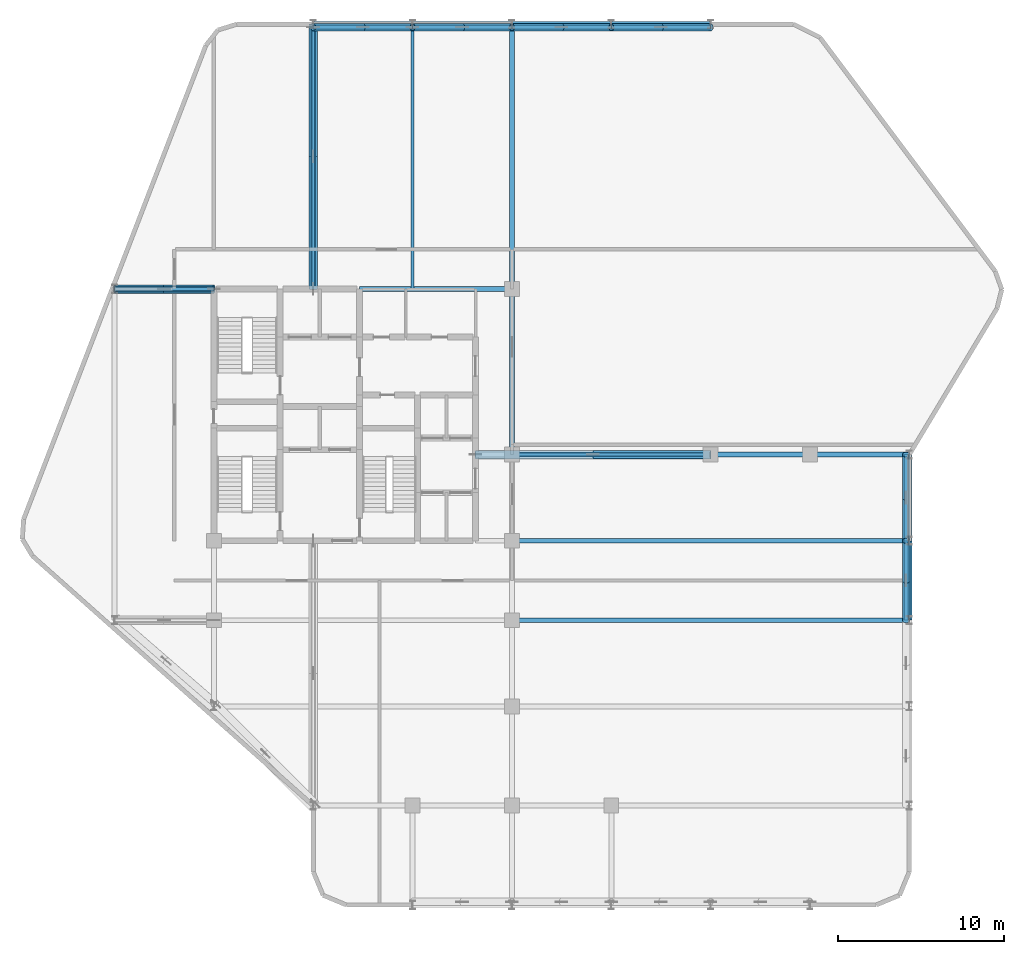
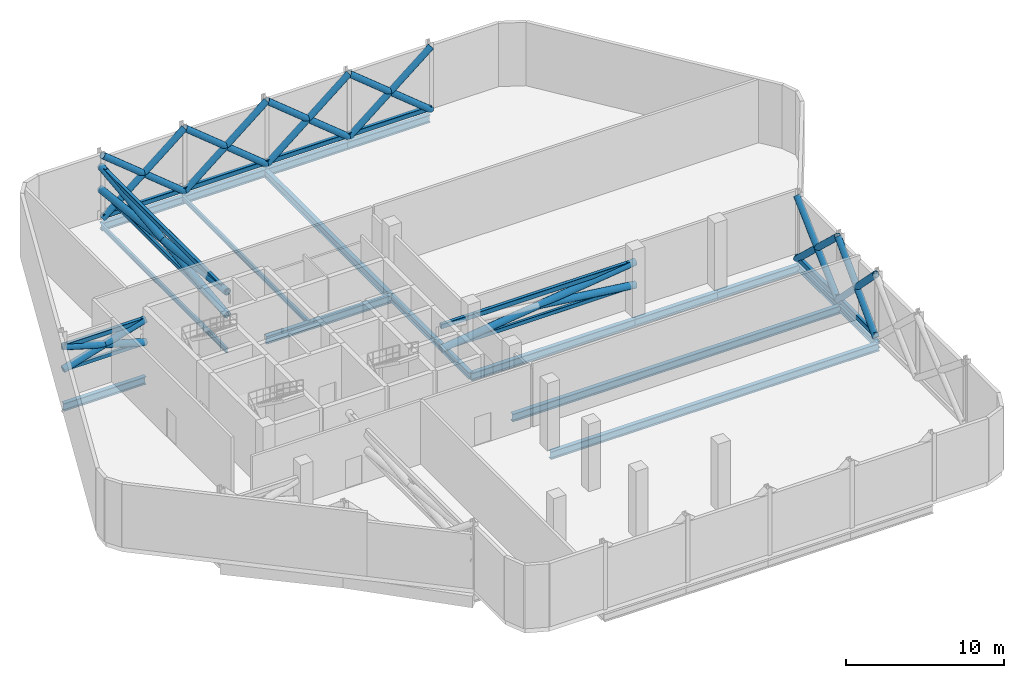
# One storey, part 5 of 12: 38 members, 17 beams.
"""IFC4 building model written with IfcOpenShell, lengths in metres."""

import ifcopenshell
import ifcopenshell.guid

model = None  # the IFC model being written
_history = None  # IfcOwnerHistory: only IFC2X3 demands one
_inside = {}  # id of a spatial element -> (the spatial element, [elements in it])
_under = {}  # id of a project, library or spatial element -> (it, [spatial elements below it])
_declared = {}  # id of a project -> (the project, [libraries it declares])
_typed = {}  # id of a type object -> (the type object, [elements of that type])
_made_of = {}  # id of a material, layer set ... -> (it, [elements and type objects made of it])


def new_model(schema):
    """Start an empty IFC model of exactly this schema.

    Asked for "IFC4X3", IfcOpenShell would pick the latest addendum, in which some entities
    have other attributes; the version numbers below select the first issue.
    IFC2X3 requires an IfcOwnerHistory on every rooted entity: one is made here for all.
    """
    global model, _history
    if schema == "IFC4X3":
        model = ifcopenshell.file(schema_version=(4, 3, 0, 0))
    else:
        model = ifcopenshell.file(schema=schema)
    _inside.clear()
    _under.clear()
    _declared.clear()
    _typed.clear()
    _made_of.clear()
    _history = None
    if model.schema == "IFC2X3":
        org = make("IfcOrganization", Name="unknown")
        user = make(
            "IfcPersonAndOrganization",
            ThePerson=make("IfcPerson", FamilyName="unknown"),
            TheOrganization=org,
        )
        app = make(
            "IfcApplication",
            ApplicationDeveloper=org,
            Version="unknown",
            ApplicationFullName="unknown",
            ApplicationIdentifier="unknown",
        )
        _history = make(
            "IfcOwnerHistory",
            OwningUser=user,
            OwningApplication=app,
            ChangeAction="ADDED",
            CreationDate=0,
        )
    return model


def make(cls, **values):
    """One entity of the class cls with the attributes given. An attribute that is None is left unset."""
    return model.create_entity(
        cls, **{name: value for name, value in values.items() if value is not None}
    )


def rooted(cls, **values):
    """An entity with a GlobalId (a new one), such as an element, a storey or a relation."""
    return make(cls, GlobalId=ifcopenshell.guid.new(), OwnerHistory=_history, **values)


def si_unit(unit_type, name, prefix=None):
    """IfcSIUnit, for example si_unit("LENGTHUNIT", "METRE", prefix="MILLI")."""
    return make("IfcSIUnit", UnitType=unit_type, Prefix=prefix, Name=name)


def assignment(units):
    """IfcUnitAssignment: the units of a project."""
    return None if units is None else make("IfcUnitAssignment", Units=units)


def point(xyz):
    """IfcCartesianPoint."""
    return None if xyz is None else make("IfcCartesianPoint", Coordinates=xyz)


def direction(xyz):
    """IfcDirection."""
    return None if xyz is None else make("IfcDirection", DirectionRatios=xyz)


def frame(location, z_axis=None, x_axis=None):
    """IfcAxis2Placement3D, a coordinate frame: its origin and axes. An axis left out is left unset."""
    return make(
        "IfcAxis2Placement3D",
        Location=point(location),
        Axis=direction(z_axis),
        RefDirection=direction(x_axis),
    )


def frame_2d(location, x_axis=None):
    """IfcAxis2Placement2D, a coordinate frame in the plane: its origin and x axis."""
    return make(
        "IfcAxis2Placement2D", Location=point(location), RefDirection=direction(x_axis)
    )


def origin():
    """The frame at (0, 0, 0) with its axes left unset."""
    return frame((0.0, 0.0, 0.0))


def origin_2d():
    """The frame at (0, 0) in the plane with its x axis left unset."""
    return frame_2d((0.0, 0.0))


def place(relative_to, where):
    """IfcLocalPlacement: puts the frame where relative to a parent placement (None: the world)."""
    return make(
        "IfcLocalPlacement", PlacementRelTo=relative_to, RelativePlacement=where
    )


def context(
    kind, dimensions, precision=None, world=None, true_north=None, identifier=None
):
    """IfcGeometricRepresentationContext, for example the 3D "Model" context."""
    return make(
        "IfcGeometricRepresentationContext",
        ContextIdentifier=identifier,
        ContextType=kind,
        CoordinateSpaceDimension=dimensions,
        Precision=precision,
        WorldCoordinateSystem=world,
        TrueNorth=true_north,
    )


def subcontext(parent, identifier, kind, view, scale=None):
    """IfcGeometricRepresentationSubContext, for example "Body" below "Model"."""
    return make(
        "IfcGeometricRepresentationSubContext",
        ContextIdentifier=identifier,
        ContextType=kind,
        ParentContext=parent,
        TargetScale=scale,
        TargetView=view,
    )


def project(units=None, contexts=None):
    """IfcProject with its units and contexts."""
    return rooted(
        "IfcProject",
        Name="project",
        RepresentationContexts=contexts,
        UnitsInContext=assignment(units),
    )


def spatial(cls, under=None, at=None, **own):
    """A site, building, storey or space (cls), placed at a placement, below another one or the project."""
    s = rooted(cls, ObjectPlacement=at, **own)
    if under is not None:
        _under.setdefault(under.id(), (under, []))[1].append(s)
    return s


def profile(cls, at=None, kind="AREA", **sizes):
    """A parametric profile (cls). Its sizes go by their IFC names, for example OverallWidth=200.0."""
    return make(cls, ProfileType=kind, Position=at, **sizes)


def hollow_rectangle(**sizes):
    """IfcRectangleHollowProfileDef."""
    return profile("IfcRectangleHollowProfileDef", **sizes)


def hollow_circle(**sizes):
    """IfcCircleHollowProfileDef."""
    return profile("IfcCircleHollowProfileDef", **sizes)


def i_section(**sizes):
    """IfcIShapeProfileDef."""
    return profile("IfcIShapeProfileDef", **sizes)


def extrude(swept, where, along, depth):
    """IfcExtrudedAreaSolid: the profile swept, set in the frame where, extruded along a direction by depth."""
    return make(
        "IfcExtrudedAreaSolid",
        SweptArea=swept,
        Position=where,
        ExtrudedDirection=direction(along),
        Depth=depth,
    )


def shape(context_of_items, identifier, shape_type, items):
    """IfcShapeRepresentation: the items that make up one representation, for example the "Body"."""
    return make(
        "IfcShapeRepresentation",
        ContextOfItems=context_of_items,
        RepresentationIdentifier=identifier,
        RepresentationType=shape_type,
        Items=items,
    )


def material(Name=None, Category=None):
    """IfcMaterial."""
    return make("IfcMaterial", Name=Name, Category=Category)


def material_profile(
    of_material, cross_section, Name=None, Category=None, Priority=None
):
    """IfcMaterialProfile: a cross section and its material."""
    return make(
        "IfcMaterialProfile",
        Name=Name,
        Material=of_material,
        Profile=cross_section,
        Priority=Priority,
        Category=Category,
    )


def profile_set(profiles, Name=None, composite=None):
    """IfcMaterialProfileSet."""
    return make(
        "IfcMaterialProfileSet",
        Name=Name,
        MaterialProfiles=profiles,
        CompositeProfile=composite,
    )


def made_of(thing, what):
    """Note that an element or type object is made of a material, layer set ...; save() writes the relation."""
    if what is not None:
        _made_of.setdefault(what.id(), (what, []))[1].append(thing)
    return thing


def type_object(cls, material=None, **own):
    """A type object (cls), such as IfcWallType, which elements share."""
    return made_of(rooted(cls, **own), material)


def element(
    cls,
    number,
    at=None,
    inside=None,
    cuts=None,
    type_object=None,
    material=None,
    context=None,
    identifier="Body",
    shape_type=None,
    held_by="IfcProductDefinitionShape",
    body=None,
    shapes=None,
    **own,
):
    """One element of the class cls, such as IfcWall. Its Tag is "e" and its number.

    at: its placement. inside: the storey or other place that contains it. cuts: it is an
    opening in that element (IfcRelVoidsElement). A single representation is given by context,
    identifier, shape_type and body (its items); several are given by shapes. held_by: the class
    of the entity that holds the representations. save() writes the other relations.
    """
    e = rooted(cls, Tag="e%d" % number, ObjectPlacement=at, **own)
    if body is not None:
        shapes = [shape(context, identifier, shape_type, body)]
    if shapes is not None:
        e.Representation = make(held_by, Representations=shapes)
    if inside is not None:
        _inside.setdefault(inside.id(), (inside, []))[1].append(e)
    if cuts is not None:
        rooted(
            "IfcRelVoidsElement", RelatingBuildingElement=cuts, RelatedOpeningElement=e
        )
    if type_object is not None:
        _typed.setdefault(type_object.id(), (type_object, []))[1].append(e)
    return made_of(e, material)


def aggregate(whole, parts):
    """IfcRelAggregates: a whole, such as a stair, and the parts it consists of."""
    return rooted("IfcRelAggregates", RelatingObject=whole, RelatedObjects=parts)


def save(model, path):
    """Write the relations noted so far, then the file.

    IfcRelAggregates (storeys below a building ...), IfcRelContainedInSpatialStructure (elements
    in a storey), IfcRelDefinesByType, IfcRelAssociatesMaterial and IfcRelDeclares: one each for
    every whole, place, type object, material and project.
    """
    for whole, parts in _under.values():
        aggregate(whole, parts)
    for where, things in _inside.values():
        rooted(
            "IfcRelContainedInSpatialStructure",
            RelatedElements=things,
            RelatingStructure=where,
        )
    for kind, things in _typed.values():
        rooted("IfcRelDefinesByType", RelatedObjects=things, RelatingType=kind)
    for what, things in _made_of.values():
        rooted("IfcRelAssociatesMaterial", RelatedObjects=things, RelatingMaterial=what)
    for by, libraries in _declared.values():
        rooted("IfcRelDeclares", RelatingContext=by, RelatedDefinitions=libraries)
    model.write(path)


model = new_model("IFC4")

# Units and contexts
model_context = context("Model", 3, precision=1e-05, world=origin(), true_north=direction((0.0, 1.0)))
body_context = subcontext(model_context, "Body", "Model", "MODEL_VIEW")
ifc_project = project(units=[si_unit("LENGTHUNIT", "METRE"), si_unit("AREAUNIT", "SQUARE_METRE"), si_unit("VOLUMEUNIT", "CUBIC_METRE"), si_unit("PLANEANGLEUNIT", "RADIAN"), si_unit("MASSUNIT", "GRAM", prefix="KILO")], contexts=[model_context])

# Site, building, storey
site_placement = place(None, origin())
site = spatial("IfcSite", under=ifc_project, at=site_placement, CompositionType="ELEMENT")
building_placement = place(site_placement, origin())
building = spatial("IfcBuilding", under=site, at=building_placement, Name="Keshet Zoharim Tower", CompositionType="ELEMENT")
storey_placement = place(building_placement, frame((0.0, 0.0, 159.39990234375)))
storey = spatial("IfcBuildingStorey", under=building, at=storey_placement, Name="L39", CompositionType="ELEMENT", Elevation=159.39990234375)

# Beams
ifc_material = material(Name="Steel S355", Category="steel")
ifc_material_profile_1 = material_profile(ifc_material, i_section(OverallWidth=0.169921875, OverallDepth=0.360107421875, WebThickness=0.008056640625, FlangeThickness=0.0126953125, FilletRadius=0.01806640625, at=origin_2d()), Name="IPE360")
ifc_profile_set_1 = profile_set([ifc_material_profile_1], Name="Steel S355")
beam_type_1 = type_object("IfcBeamType", Name="BM-JST-IP360", PredefinedType="JOIST", material=ifc_profile_set_1)
for number, where, z_axis, x_axis, name in (
    (1, (21.0, 37.89990234375, -0.599853515625), (0.0, 1.0, 0.0), (-1.0, 0.0, 0.0), "L39 Secondary Floor Joist J-001"),
    (2, (27.0, 37.89990234375, -0.599853515625), (0.0, 1.0, 0.0), (-1.0, 0.0, 0.0), "L39 Secondary Floor Joist J-002"),
):
    element("IfcBeam", number, at=place(storey_placement, frame(where, z_axis=z_axis, x_axis=x_axis)), inside=storey, type_object=beam_type_1, Name=name, PredefinedType="JOIST", context=body_context, shape_type="SweptSolid", body=[
        extrude(i_section(OverallWidth=0.169921875, OverallDepth=0.360107421875, WebThickness=0.008056640625, FlangeThickness=0.0126953125, FilletRadius=0.01806640625, at=origin_2d()), origin(), (0.0, 0.0, 1.0), 16.0),
    ])
ifc_material_profile_2 = material_profile(ifc_material, i_section(OverallWidth=0.300048828125, OverallDepth=0.60009765625, WebThickness=0.015380859375, FlangeThickness=0.030029296875, FilletRadius=0.027099609375, at=origin_2d()), Name="HEB600")
ifc_profile_set_2 = profile_set([ifc_material_profile_2], Name="Steel S355")
beam_type_2 = type_object("IfcBeamType", Name="BM-LNG-HB600", PredefinedType="BEAM", material=ifc_profile_set_2)
for number, where, z_axis, x_axis, name in (
    (3, (33.0, 17.89990234375, -0.719970703125), (1.0, 0.0, 0.0), (0.0, 1.0, 0.0), "L39 Primary Girder X-013"),
    (4, (33.0, 22.699951171875, -0.719970703125), (1.0, 0.0, 0.0), (0.0, 1.0, 0.0), "L39 Primary Girder X-014"),
):
    element("IfcBeam", number, at=place(storey_placement, frame(where, z_axis=z_axis, x_axis=x_axis)), inside=storey, type_object=beam_type_2, Name=name, PredefinedType="BEAM", context=body_context, shape_type="SweptSolid", body=[
        extrude(i_section(OverallWidth=0.300048828125, OverallDepth=0.60009765625, WebThickness=0.015380859375, FlangeThickness=0.030029296875, FilletRadius=0.027099609375, at=origin_2d()), origin(), (0.0, 0.0, 1.0), 24.0),
    ])
beam_1_placement = place(storey_placement, frame((33.0, 37.89990234375, -0.719970703125), z_axis=(0.0, 1.0, 0.0), x_axis=(-1.0, 0.0, 0.0)))
element("IfcBeam", 5, at=beam_1_placement, inside=storey, type_object=beam_type_2, Name="L39 Primary Girder Y-011", PredefinedType="BEAM", context=body_context, shape_type="SweptSolid", body=[
    extrude(i_section(OverallWidth=0.300048828125, OverallDepth=0.60009765625, WebThickness=0.015380859375, FlangeThickness=0.030029296875, FilletRadius=0.027099609375, at=origin_2d()), origin(), (0.0, 0.0, 1.0), 16.0),
])
ifc_material_profile_3 = material_profile(ifc_material, i_section(OverallWidth=0.300048828125, OverallDepth=0.5, WebThickness=0.014404296875, FlangeThickness=0.028076171875, FilletRadius=0.027099609375, at=origin_2d()), Name="HEB500")
ifc_profile_set_3 = profile_set([ifc_material_profile_3], Name="Steel S355")
beam_type_3 = type_object("IfcBeamType", Name="BM-MED-HB500", PredefinedType="BEAM", material=ifc_profile_set_3)
beam_2_placement = place(storey_placement, frame((33.0, 27.89990234375, -0.669921875), z_axis=(0.0, 1.0, 0.0), x_axis=(-1.0, 0.0, 0.0)))
element("IfcBeam", 6, at=beam_2_placement, inside=storey, type_object=beam_type_3, Name="L39 Primary Girder Y-010", PredefinedType="BEAM", context=body_context, shape_type="SweptSolid", body=[
    extrude(i_section(OverallWidth=0.300048828125, OverallDepth=0.5, WebThickness=0.014404296875, FlangeThickness=0.028076171875, FilletRadius=0.027099609375, at=origin_2d()), origin(), (0.0, 0.0, 1.0), 10.0),
])
ifc_material_profile_4 = material_profile(ifc_material, i_section(OverallWidth=0.300048828125, OverallDepth=0.60009765625, WebThickness=0.015380859375, FlangeThickness=0.030029296875, FilletRadius=0.027099609375, at=origin_2d()), Name="HEB600")
ifc_profile_set_4 = profile_set([ifc_material_profile_4], Name="Steel S355")
beam_type_4 = type_object("IfcBeamType", Name="BM-MED-HB600", PredefinedType="BEAM", material=ifc_profile_set_4)
beam_3_placement = place(storey_placement, frame((33.0, 27.89990234375, -0.719970703125), z_axis=(1.0, 0.0, 0.0), x_axis=(0.0, 1.0, 0.0)))
element("IfcBeam", 7, at=beam_3_placement, inside=storey, type_object=beam_type_4, Name="L39 Primary Girder X-015", PredefinedType="BEAM", context=body_context, shape_type="SweptSolid", body=[
    extrude(i_section(OverallWidth=0.300048828125, OverallDepth=0.60009765625, WebThickness=0.015380859375, FlangeThickness=0.030029296875, FilletRadius=0.027099609375, at=origin_2d()), origin(), (0.0, 0.0, 1.0), 12.0),
])
beam_4_placement = place(storey_placement, frame((23.800048828125, 37.89990234375, -0.719970703125), z_axis=(1.0, 0.0, 0.0), x_axis=(0.0, 1.0, 0.0)))
element("IfcBeam", 8, at=beam_4_placement, inside=storey, type_object=beam_type_4, Name="L39 Primary Girder X-019", PredefinedType="BEAM", context=body_context, shape_type="SweptSolid", body=[
    extrude(i_section(OverallWidth=0.300048828125, OverallDepth=0.60009765625, WebThickness=0.015380859375, FlangeThickness=0.030029296875, FilletRadius=0.027099609375, at=origin_2d()), origin(), (0.0, 0.0, 1.0), 9.199951171875),
])
ifc_material_profile_5 = material_profile(ifc_material, i_section(OverallWidth=0.300048828125, OverallDepth=0.5, WebThickness=0.014404296875, FlangeThickness=0.028076171875, FilletRadius=0.027099609375, at=origin_2d()), Name="HEB500")
ifc_profile_set_5 = profile_set([ifc_material_profile_5], Name="Steel S355")
beam_type_5 = type_object("IfcBeamType", Name="BM-WEB-HB500", PredefinedType="BEAM", material=ifc_profile_set_5)
beam_5_placement = place(storey_placement, frame((57.0, 17.89990234375, -0.669921875), z_axis=(0.0, 1.0, 0.0), x_axis=(-1.0, 0.0, 0.0)))
element("IfcBeam", 9, at=beam_5_placement, inside=storey, type_object=beam_type_5, Name="L39 Primary Girder Y-015", PredefinedType="BEAM", context=body_context, shape_type="SweptSolid", body=[
    extrude(i_section(OverallWidth=0.300048828125, OverallDepth=0.5, WebThickness=0.014404296875, FlangeThickness=0.028076171875, FilletRadius=0.027099609375, at=origin_2d()), origin(), (0.0, 0.0, 1.0), 4.800048828125),
])
beam_6_placement = place(storey_placement, frame((57.0, 22.699951171875, -0.669921875), z_axis=(0.0, 1.0, 0.0), x_axis=(-1.0, 0.0, 0.0)))
element("IfcBeam", 10, at=beam_6_placement, inside=storey, type_object=beam_type_5, Name="L39 Primary Girder Y-016", PredefinedType="BEAM", context=body_context, shape_type="SweptSolid", body=[
    extrude(i_section(OverallWidth=0.300048828125, OverallDepth=0.5, WebThickness=0.014404296875, FlangeThickness=0.028076171875, FilletRadius=0.027099609375, at=origin_2d()), origin(), (0.0, 0.0, 1.0), 5.199951171875),
])
ifc_material_profile_6 = material_profile(ifc_material, i_section(OverallWidth=0.300048828125, OverallDepth=0.60009765625, WebThickness=0.015380859375, FlangeThickness=0.030029296875, FilletRadius=0.027099609375, at=origin_2d()), Name="HEB600")
ifc_profile_set_6 = profile_set([ifc_material_profile_6], Name="Steel S355")
beam_type_6 = type_object("IfcBeamType", Name="BM-WEB-HB600", PredefinedType="BEAM", material=ifc_profile_set_6)
for number, where, z_axis, x_axis, name in (
    (11, (45.0, 27.89990234375, -0.719970703125), (1.0, 0.0, 0.0), (0.0, 1.0, 0.0), "L39 Primary Girder X-016"),
    (12, (51.0, 27.89990234375, -0.719970703125), (1.0, 0.0, 0.0), (0.0, 1.0, 0.0), "L39 Primary Girder X-017"),
    (13, (9.0, 37.89990234375, -0.719970703125), (1.0, 0.0, 0.0), (0.0, 1.0, 0.0), "L39 Primary Girder X-018"),
    (14, (21.0, 53.89990234375, -0.719970703125), (1.0, 0.0, 0.0), (0.0, 1.0, 0.0), "L39 Primary Girder X-020"),
    (15, (27.0, 53.89990234375, -0.719970703125), (1.0, 0.0, 0.0), (0.0, 1.0, 0.0), "L39 Primary Girder X-021"),
    (16, (33.0, 53.89990234375, -0.719970703125), (1.0, 0.0, 0.0), (0.0, 1.0, 0.0), "L39 Primary Girder X-022"),
    (17, (39.0, 53.89990234375, -0.719970703125), (1.0, 0.0, 0.0), (0.0, 1.0, 0.0), "L39 Primary Girder X-023"),
):
    element("IfcBeam", number, at=place(storey_placement, frame(where, z_axis=z_axis, x_axis=x_axis)), inside=storey, type_object=beam_type_6, Name=name, PredefinedType="BEAM", context=body_context, shape_type="SweptSolid", body=[
        extrude(i_section(OverallWidth=0.300048828125, OverallDepth=0.60009765625, WebThickness=0.015380859375, FlangeThickness=0.030029296875, FilletRadius=0.027099609375, at=origin_2d()), origin(), (0.0, 0.0, 1.0), 6.0),
    ])

# Members
ifc_material_profile_7 = material_profile(ifc_material, hollow_circle(Radius=0.228515625, WallThickness=0.01611328125, at=origin_2d()), Name="CHS457x16")
ifc_profile_set_7 = profile_set([ifc_material_profile_7], Name="Steel S355")
member_type_1 = type_object("IfcMemberType", Name="MB-BELT-C457", PredefinedType="BRACE", material=ifc_profile_set_7)
member_1_placement = place(storey_placement, frame((21.0, 53.7099609375, 0.0), z_axis=(0.775156035504, 0.0, 0.631769831997), x_axis=(0.0, 1.0, 0.0)))
element("IfcMember", 18, at=member_1_placement, inside=storey, type_object=member_type_1, Name="L39 Perimeter Belt Truss Continuous Diagonal A07", PredefinedType="BRACE", context=body_context, shape_type="SweptSolid", body=[
    extrude(hollow_circle(Radius=0.228515625, WallThickness=0.01611328125, at=origin_2d()), origin(), (0.0, 0.0, 1.0), 7.740478515625),
])
for number, where, z_axis, x_axis, name in (
    (19, (27.0, 53.7099609375, 0.0), (-0.775156035504, 0.0, 0.631769831997), (0.0, -1.0, 0.0), "L39 Perimeter Belt Truss Split Diagonal B1-07"),
    (20, (24.0, 53.7099609375, 2.445068359375), (-0.775156035504, 0.0, 0.631769831997), (0.0, -1.0, 0.0), "L39 Perimeter Belt Truss Split Diagonal B2-07"),
):
    element("IfcMember", number, at=place(storey_placement, frame(where, z_axis=z_axis, x_axis=x_axis)), inside=storey, type_object=member_type_1, Name=name, PredefinedType="BRACE", context=body_context, shape_type="SweptSolid", body=[
        extrude(hollow_circle(Radius=0.228515625, WallThickness=0.01611328125, at=origin_2d()), origin(), (0.0, 0.0, 1.0), 3.8701171875),
    ])
member_2_placement = place(storey_placement, frame((27.0, 53.7099609375, 0.0), z_axis=(0.775156035504, 0.0, 0.631769831997), x_axis=(0.0, 1.0, 0.0)))
element("IfcMember", 21, at=member_2_placement, inside=storey, type_object=member_type_1, Name="L39 Perimeter Belt Truss Continuous Diagonal A08", PredefinedType="BRACE", context=body_context, shape_type="SweptSolid", body=[
    extrude(hollow_circle(Radius=0.228515625, WallThickness=0.01611328125, at=origin_2d()), origin(), (0.0, 0.0, 1.0), 7.740478515625),
])
for number, where, z_axis, x_axis, name in (
    (22, (33.0, 53.7099609375, 0.0), (-0.775156035504, 0.0, 0.631769831997), (0.0, -1.0, 0.0), "L39 Perimeter Belt Truss Split Diagonal B1-08"),
    (23, (30.0, 53.7099609375, 2.445068359375), (-0.775156035504, 0.0, 0.631769831997), (0.0, -1.0, 0.0), "L39 Perimeter Belt Truss Split Diagonal B2-08"),
):
    element("IfcMember", number, at=place(storey_placement, frame(where, z_axis=z_axis, x_axis=x_axis)), inside=storey, type_object=member_type_1, Name=name, PredefinedType="BRACE", context=body_context, shape_type="SweptSolid", body=[
        extrude(hollow_circle(Radius=0.228515625, WallThickness=0.01611328125, at=origin_2d()), origin(), (0.0, 0.0, 1.0), 3.8701171875),
    ])
member_3_placement = place(storey_placement, frame((33.0, 53.7099609375, 0.0), z_axis=(0.775156035504, 0.0, 0.631769831997), x_axis=(0.0, 1.0, 0.0)))
element("IfcMember", 24, at=member_3_placement, inside=storey, type_object=member_type_1, Name="L39 Perimeter Belt Truss Continuous Diagonal A09", PredefinedType="BRACE", context=body_context, shape_type="SweptSolid", body=[
    extrude(hollow_circle(Radius=0.228515625, WallThickness=0.01611328125, at=origin_2d()), origin(), (0.0, 0.0, 1.0), 7.740478515625),
])
for number, where, z_axis, x_axis, name in (
    (25, (39.0, 53.7099609375, 0.0), (-0.775156035504, 0.0, 0.631769831997), (0.0, -1.0, 0.0), "L39 Perimeter Belt Truss Split Diagonal B1-09"),
    (26, (36.0, 53.7099609375, 2.445068359375), (-0.775156035504, 0.0, 0.631769831997), (0.0, -1.0, 0.0), "L39 Perimeter Belt Truss Split Diagonal B2-09"),
):
    element("IfcMember", number, at=place(storey_placement, frame(where, z_axis=z_axis, x_axis=x_axis)), inside=storey, type_object=member_type_1, Name=name, PredefinedType="BRACE", context=body_context, shape_type="SweptSolid", body=[
        extrude(hollow_circle(Radius=0.228515625, WallThickness=0.01611328125, at=origin_2d()), origin(), (0.0, 0.0, 1.0), 3.8701171875),
    ])
member_4_placement = place(storey_placement, frame((39.0, 53.7099609375, 0.0), z_axis=(0.775156035504, 0.0, 0.631769831997), x_axis=(0.0, 1.0, 0.0)))
element("IfcMember", 27, at=member_4_placement, inside=storey, type_object=member_type_1, Name="L39 Perimeter Belt Truss Continuous Diagonal A10", PredefinedType="BRACE", context=body_context, shape_type="SweptSolid", body=[
    extrude(hollow_circle(Radius=0.228515625, WallThickness=0.01611328125, at=origin_2d()), origin(), (0.0, 0.0, 1.0), 7.740478515625),
])
for number, where, z_axis, x_axis, name in (
    (28, (45.0, 53.7099609375, 0.0), (-0.775156035504, 0.0, 0.631769831997), (0.0, -1.0, 0.0), "L39 Perimeter Belt Truss Split Diagonal B1-10"),
    (29, (42.0, 53.7099609375, 2.445068359375), (-0.775156035504, 0.0, 0.631769831997), (0.0, -1.0, 0.0), "L39 Perimeter Belt Truss Split Diagonal B2-10"),
):
    element("IfcMember", number, at=place(storey_placement, frame(where, z_axis=z_axis, x_axis=x_axis)), inside=storey, type_object=member_type_1, Name=name, PredefinedType="BRACE", context=body_context, shape_type="SweptSolid", body=[
        extrude(hollow_circle(Radius=0.228515625, WallThickness=0.01611328125, at=origin_2d()), origin(), (0.0, 0.0, 1.0), 3.8701171875),
    ])
member_5_placement = place(storey_placement, frame((56.81005859375, 27.89990234375, 0.0), z_axis=(0.0, -0.728475058679, 0.685072323834), x_axis=(1.0, 0.0, 0.0)))
element("IfcMember", 30, at=member_5_placement, inside=storey, type_object=member_type_1, Name="L39 Perimeter Belt Truss Continuous Diagonal A11", PredefinedType="BRACE", context=body_context, shape_type="SweptSolid", body=[
    extrude(hollow_circle(Radius=0.228515625, WallThickness=0.01611328125, at=origin_2d()), origin(), (0.0, 0.0, 1.0), 7.13818359375),
])
for number, where, z_axis, x_axis, name in (
    (31, (56.81005859375, 22.699951171875, 0.0), (0.0, 0.728491110048, 0.68505525513), (-1.0, 0.0, 0.0), "L39 Perimeter Belt Truss Split Diagonal B1-11"),
    (32, (56.81005859375, 25.300048828125, 2.445068359375), (0.0, 0.72845900611, 0.685089393012), (-1.0, 0.0, 0.0), "L39 Perimeter Belt Truss Split Diagonal B2-11"),
):
    element("IfcMember", number, at=place(storey_placement, frame(where, z_axis=z_axis, x_axis=x_axis)), inside=storey, type_object=member_type_1, Name=name, PredefinedType="BRACE", context=body_context, shape_type="SweptSolid", body=[
        extrude(hollow_circle(Radius=0.228515625, WallThickness=0.01611328125, at=origin_2d()), origin(), (0.0, 0.0, 1.0), 3.569091796875),
    ])
member_6_placement = place(storey_placement, frame((56.81005859375, 22.699951171875, 0.0), z_axis=(0.0, -0.700502666336, 0.713649784177), x_axis=(1.0, 0.0, 0.0)))
element("IfcMember", 33, at=member_6_placement, inside=storey, type_object=member_type_1, Name="L39 Perimeter Belt Truss Continuous Diagonal A12", PredefinedType="BRACE", context=body_context, shape_type="SweptSolid", body=[
    extrude(hollow_circle(Radius=0.228515625, WallThickness=0.01611328125, at=origin_2d()), origin(), (0.0, 0.0, 1.0), 6.852294921875),
])
member_7_placement = place(storey_placement, frame((56.81005859375, 17.89990234375, 0.0), z_axis=(0.0, 0.700520811388, 0.713631972947), x_axis=(-1.0, 0.0, 0.0)))
element("IfcMember", 34, at=member_7_placement, inside=storey, type_object=member_type_1, Name="L39 Perimeter Belt Truss Split Diagonal B1-12", PredefinedType="BRACE", context=body_context, shape_type="SweptSolid", body=[
    extrude(hollow_circle(Radius=0.228515625, WallThickness=0.01611328125, at=origin_2d()), origin(), (0.0, 0.0, 1.0), 3.42626953125),
])
member_8_placement = place(storey_placement, frame((56.81005859375, 20.300048828125, 2.445068359375), z_axis=(0.0, 0.700484519926, 0.713667595835), x_axis=(-1.0, 0.0, 0.0)))
element("IfcMember", 35, at=member_8_placement, inside=storey, type_object=member_type_1, Name="L39 Perimeter Belt Truss Split Diagonal B2-12", PredefinedType="BRACE", context=body_context, shape_type="SweptSolid", body=[
    extrude(hollow_circle(Radius=0.228515625, WallThickness=0.01611328125, at=origin_2d()), origin(), (0.0, 0.0, 1.0), 3.426025390625),
])
ifc_material_profile_8 = material_profile(ifc_material, hollow_rectangle(XDim=0.25, YDim=0.35009765625, WallThickness=0.01416015625, InnerFilletRadius=0.013916015625, OuterFilletRadius=0.02099609375, at=origin_2d()), Name="RHS350x250x14.2")
ifc_profile_set_8 = profile_set([ifc_material_profile_8], Name="Steel S355")
member_type_2 = type_object("IfcMemberType", Name="MB-CHD-R350", PredefinedType="CHORD", material=ifc_profile_set_8)
for number, where, z_axis, x_axis, name in (
    (36, (21.0, 53.7099609375, 0.2001953125), (1.0, 0.0, 0.0), (0.0, 1.0, 0.0), "L39 Perimeter Belt Truss Chord B07"),
    (37, (27.0, 53.7099609375, 0.2001953125), (1.0, 0.0, 0.0), (0.0, 1.0, 0.0), "L39 Perimeter Belt Truss Chord B08"),
    (38, (33.0, 53.7099609375, 0.2001953125), (1.0, 0.0, 0.0), (0.0, 1.0, 0.0), "L39 Perimeter Belt Truss Chord B09"),
    (39, (39.0, 53.7099609375, 0.2001953125), (1.0, 0.0, 0.0), (0.0, 1.0, 0.0), "L39 Perimeter Belt Truss Chord B10"),
):
    element("IfcMember", number, at=place(storey_placement, frame(where, z_axis=z_axis, x_axis=x_axis)), inside=storey, type_object=member_type_2, Name=name, PredefinedType="CHORD", context=body_context, shape_type="SweptSolid", body=[
        extrude(hollow_rectangle(XDim=0.25, YDim=0.35009765625, WallThickness=0.01416015625, InnerFilletRadius=0.013916015625, OuterFilletRadius=0.02099609375, at=origin_2d()), origin(), (0.0, 0.0, 1.0), 6.0),
    ])
member_9_placement = place(storey_placement, frame((56.81005859375, 27.89990234375, 0.2001953125), z_axis=(0.0, -1.0, 0.0), x_axis=(1.0, 0.0, 0.0)))
element("IfcMember", 40, at=member_9_placement, inside=storey, type_object=member_type_2, Name="L39 Perimeter Belt Truss Chord B11", PredefinedType="CHORD", context=body_context, shape_type="SweptSolid", body=[
    extrude(hollow_rectangle(XDim=0.25, YDim=0.35009765625, WallThickness=0.01416015625, InnerFilletRadius=0.013916015625, OuterFilletRadius=0.02099609375, at=origin_2d()), origin(), (0.0, 0.0, 1.0), 5.199951171875),
])
member_10_placement = place(storey_placement, frame((56.81005859375, 22.699951171875, 0.2001953125), z_axis=(0.0, -1.0, 0.0), x_axis=(1.0, 0.0, 0.0)))
element("IfcMember", 41, at=member_10_placement, inside=storey, type_object=member_type_2, Name="L39 Perimeter Belt Truss Chord B12", PredefinedType="CHORD", context=body_context, shape_type="SweptSolid", body=[
    extrude(hollow_rectangle(XDim=0.25, YDim=0.35009765625, WallThickness=0.01416015625, InnerFilletRadius=0.013916015625, OuterFilletRadius=0.02099609375, at=origin_2d()), origin(), (0.0, 0.0, 1.0), 4.800048828125),
])
ifc_material_profile_9 = material_profile(ifc_material, hollow_circle(Radius=0.25390625, WallThickness=0.02001953125, at=origin_2d()), Name="CHS508x20")
ifc_profile_set_9 = profile_set([ifc_material_profile_9], Name="Steel S355")
member_type_3 = type_object("IfcMemberType", Name="MB-OUTR-C508", PredefinedType="BRACE", material=ifc_profile_set_9)
member_11_placement = place(storey_placement, frame((15.0, 37.89990234375, 2.150146484375), z_axis=(-0.958700064328, 0.0, 0.28441903357), x_axis=(0.0, -1.0, 0.0)))
element("IfcMember", 42, at=member_11_placement, inside=storey, type_object=member_type_3, Name="L39 Core Outrigger Continuous Brace 1-W2", PredefinedType="BRACE", context=body_context, shape_type="SweptSolid", body=[
    extrude(hollow_circle(Radius=0.25390625, WallThickness=0.02001953125, at=origin_2d()), origin(), (0.0, 0.0, 1.0), 6.258544921875),
])
for number, where, z_axis, x_axis, name in (
    (43, (9.0, 37.89990234375, 2.150146484375), (0.958710700624, 0.0, 0.284383179018), (0.0, 1.0, 0.0), "L39 Core Outrigger Split Brace 2A-W2"),
    (44, (12.0, 37.89990234375, 3.0400390625), (0.958689426927, 0.0, 0.284454886929), (0.0, 1.0, 0.0), "L39 Core Outrigger Split Brace 2B-W2"),
):
    element("IfcMember", number, at=place(storey_placement, frame(where, z_axis=z_axis, x_axis=x_axis)), inside=storey, type_object=member_type_3, Name=name, PredefinedType="BRACE", context=body_context, shape_type="SweptSolid", body=[
        extrude(hollow_circle(Radius=0.25390625, WallThickness=0.02001953125, at=origin_2d()), origin(), (0.0, 0.0, 1.0), 3.129150390625),
    ])
member_12_placement = place(storey_placement, frame((30.800048828125, 27.89990234375, 2.150146484375), z_axis=(0.992234511229, 0.0, 0.124381167089), x_axis=(0.0, 1.0, 0.0)))
element("IfcMember", 45, at=member_12_placement, inside=storey, type_object=member_type_3, Name="L39 Core Outrigger Continuous Brace 1-E1", PredefinedType="BRACE", context=body_context, shape_type="SweptSolid", body=[
    extrude(hollow_circle(Radius=0.25390625, WallThickness=0.02001953125, at=origin_2d()), origin(), (0.0, 0.0, 1.0), 14.31103515625),
])
member_13_placement = place(storey_placement, frame((45.0, 27.89990234375, 2.150146484375), z_axis=(-0.992236880346, 0.0, 0.124362266311), x_axis=(0.0, -1.0, 0.0)))
element("IfcMember", 46, at=member_13_placement, inside=storey, type_object=member_type_3, Name="L39 Core Outrigger Split Brace 2A-E1", PredefinedType="BRACE", context=body_context, shape_type="SweptSolid", body=[
    extrude(hollow_circle(Radius=0.25390625, WallThickness=0.02001953125, at=origin_2d()), origin(), (0.0, 0.0, 1.0), 7.15576171875),
])
member_14_placement = place(storey_placement, frame((21.0, 37.89990234375, 2.150146484375), z_axis=(0.0, 0.993868374902, 0.110569676535), x_axis=(-1.0, 0.0, 0.0)))
element("IfcMember", 47, at=member_14_placement, inside=storey, type_object=member_type_3, Name="L39 Core Outrigger Continuous Brace 1-N1", PredefinedType="BRACE", context=body_context, shape_type="SweptSolid", body=[
    extrude(hollow_circle(Radius=0.25390625, WallThickness=0.02001953125, at=origin_2d()), origin(), (0.0, 0.0, 1.0), 16.0986328125),
])
for number, where, z_axis, x_axis, name in (
    (48, (21.0, 53.89990234375, 2.150146484375), (0.0, -0.993870041325, 0.110554696674), (1.0, 0.0, 0.0), "L39 Core Outrigger Split Brace 2A-N1"),
    (49, (21.0, 45.89990234375, 3.0400390625), (0.0, -0.993866708259, 0.110584656321), (1.0, 0.0, 0.0), "L39 Core Outrigger Split Brace 2B-N1"),
):
    element("IfcMember", number, at=place(storey_placement, frame(where, z_axis=z_axis, x_axis=x_axis)), inside=storey, type_object=member_type_3, Name=name, PredefinedType="BRACE", context=body_context, shape_type="SweptSolid", body=[
        extrude(hollow_circle(Radius=0.25390625, WallThickness=0.02001953125, at=origin_2d()), origin(), (0.0, 0.0, 1.0), 8.04931640625),
    ])
ifc_material_profile_10 = material_profile(ifc_material, hollow_rectangle(XDim=0.199951171875, YDim=0.300048828125, WallThickness=0.012451171875, InnerFilletRadius=0.011962890625, OuterFilletRadius=0.01904296875, at=origin_2d()), Name="RHS300x200x12.5")
ifc_profile_set_10 = profile_set([ifc_material_profile_10], Name="Steel S355")
member_type_4 = type_object("IfcMemberType", Name="MB-OUTR-S300", PredefinedType="STRUT", material=ifc_profile_set_10)
member_15_placement = place(storey_placement, frame((15.0, 37.89990234375, 2.150146484375), z_axis=(-1.0, 0.0, 0.0), x_axis=(0.0, -1.0, 0.0)))
element("IfcMember", 50, at=member_15_placement, inside=storey, type_object=member_type_4, Name="L39 Core Outrigger Bottom Strut W2", PredefinedType="STRUT", context=body_context, shape_type="SweptSolid", body=[
    extrude(hollow_rectangle(XDim=0.199951171875, YDim=0.300048828125, WallThickness=0.012451171875, InnerFilletRadius=0.011962890625, OuterFilletRadius=0.01904296875, at=origin_2d()), origin(), (0.0, 0.0, 1.0), 6.0),
])
member_16_placement = place(storey_placement, frame((30.800048828125, 27.89990234375, 2.150146484375), z_axis=(1.0, 0.0, 0.0), x_axis=(0.0, 1.0, 0.0)))
element("IfcMember", 51, at=member_16_placement, inside=storey, type_object=member_type_4, Name="L39 Core Outrigger Bottom Strut E1", PredefinedType="STRUT", context=body_context, shape_type="SweptSolid", body=[
    extrude(hollow_rectangle(XDim=0.199951171875, YDim=0.300048828125, WallThickness=0.012451171875, InnerFilletRadius=0.011962890625, OuterFilletRadius=0.01904296875, at=origin_2d()), origin(), (0.0, 0.0, 1.0), 14.199951171875),
])
member_17_placement = place(storey_placement, frame((21.0, 37.89990234375, 2.150146484375), z_axis=(0.0, 1.0, 0.0), x_axis=(-1.0, 0.0, 0.0)))
element("IfcMember", 52, at=member_17_placement, inside=storey, type_object=member_type_4, Name="L39 Core Outrigger Bottom Strut N1", PredefinedType="STRUT", context=body_context, shape_type="SweptSolid", body=[
    extrude(hollow_rectangle(XDim=0.199951171875, YDim=0.300048828125, WallThickness=0.012451171875, InnerFilletRadius=0.011962890625, OuterFilletRadius=0.01904296875, at=origin_2d()), origin(), (0.0, 0.0, 1.0), 16.0),
])
ifc_material_profile_11 = material_profile(ifc_material, hollow_rectangle(XDim=0.25, YDim=0.35009765625, WallThickness=0.01416015625, InnerFilletRadius=0.013916015625, OuterFilletRadius=0.02099609375, at=origin_2d()), Name="RHS350x250x14.2")
ifc_profile_set_11 = profile_set([ifc_material_profile_11], Name="Steel S355")
member_type_5 = type_object("IfcMemberType", Name="MB-OUTR-T350", PredefinedType="CHORD", material=ifc_profile_set_11)
member_18_placement = place(storey_placement, frame((15.0, 37.89990234375, 3.93017578125), z_axis=(-1.0, 0.0, 0.0), x_axis=(0.0, -1.0, 0.0)))
element("IfcMember", 53, at=member_18_placement, inside=storey, type_object=member_type_5, Name="L39 Core Outrigger Top Chord W2", PredefinedType="CHORD", context=body_context, shape_type="SweptSolid", body=[
    extrude(hollow_rectangle(XDim=0.25, YDim=0.35009765625, WallThickness=0.01416015625, InnerFilletRadius=0.013916015625, OuterFilletRadius=0.02099609375, at=origin_2d()), origin(), (0.0, 0.0, 1.0), 6.0),
])
member_19_placement = place(storey_placement, frame((30.800048828125, 27.89990234375, 3.93017578125), z_axis=(1.0, 0.0, 0.0), x_axis=(0.0, 1.0, 0.0)))
element("IfcMember", 54, at=member_19_placement, inside=storey, type_object=member_type_5, Name="L39 Core Outrigger Top Chord E1", PredefinedType="CHORD", context=body_context, shape_type="SweptSolid", body=[
    extrude(hollow_rectangle(XDim=0.25, YDim=0.35009765625, WallThickness=0.01416015625, InnerFilletRadius=0.013916015625, OuterFilletRadius=0.02099609375, at=origin_2d()), origin(), (0.0, 0.0, 1.0), 14.199951171875),
])
member_20_placement = place(storey_placement, frame((21.0, 37.89990234375, 3.93017578125), z_axis=(0.0, 1.0, 0.0), x_axis=(-1.0, 0.0, 0.0)))
element("IfcMember", 55, at=member_20_placement, inside=storey, type_object=member_type_5, Name="L39 Core Outrigger Top Chord N1", PredefinedType="CHORD", context=body_context, shape_type="SweptSolid", body=[
    extrude(hollow_rectangle(XDim=0.25, YDim=0.35009765625, WallThickness=0.01416015625, InnerFilletRadius=0.013916015625, OuterFilletRadius=0.02099609375, at=origin_2d()), origin(), (0.0, 0.0, 1.0), 16.0),
])

save(model, "model.ifc")
